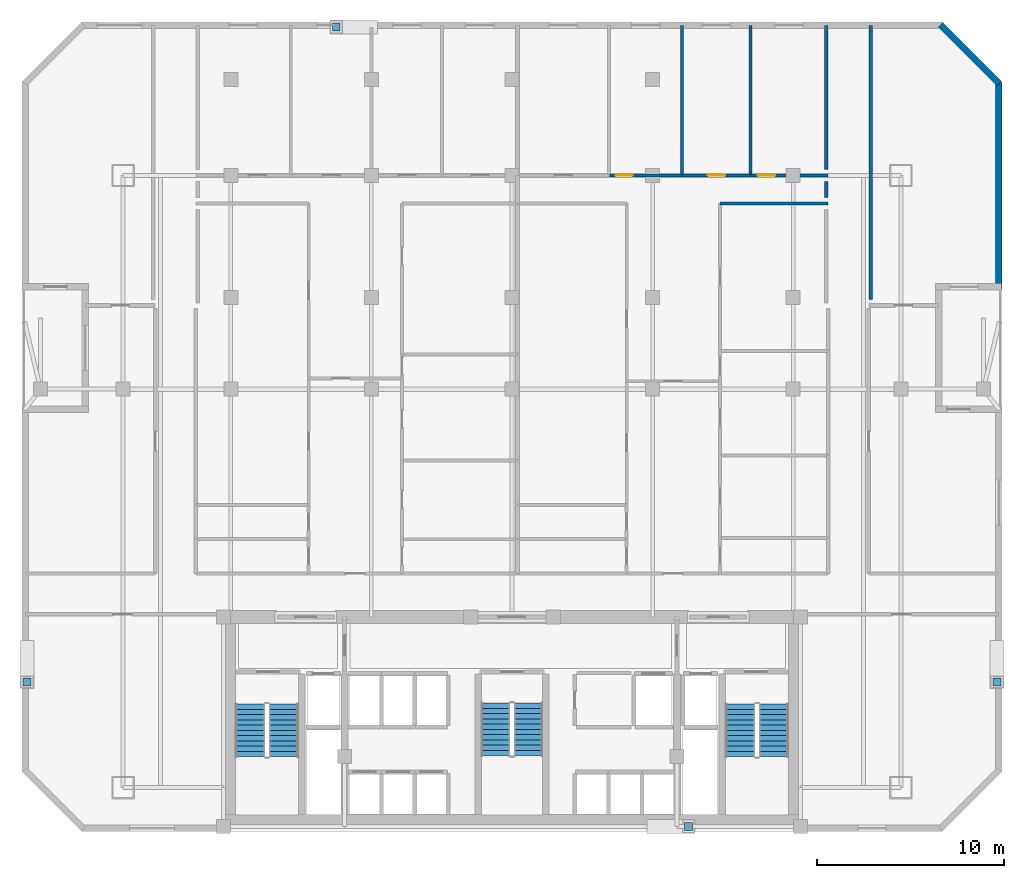
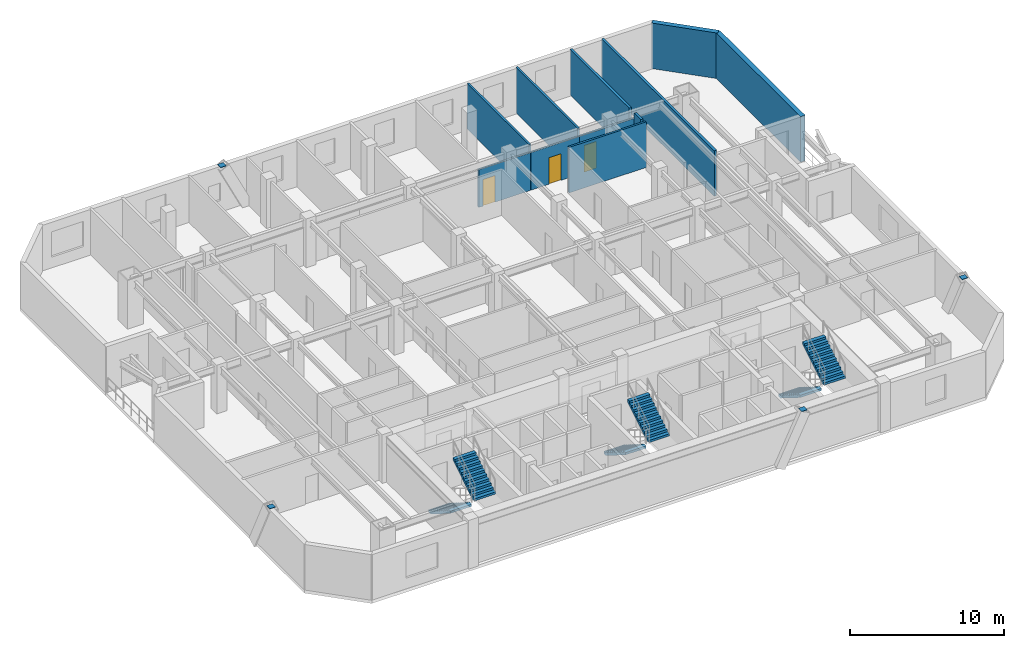
# One storey, part 7 of 9: 11 walls, 6 stair flights, 4 discrete accessories, 3 doors, 3 openings, 3 elements without a shape of their own.
"""IFC4 building model written with IfcOpenShell, lengths in metres."""

from ifc_helpers import new_model, si_unit, direction, frame, frame_2d, origin, origin_2d, place, context, subcontext, project, spatial, polyline, rectangle, outline, extrude, material, layer, layer_set, type_object, element, fill, aggregate, save


model = new_model("IFC4")

# Units and contexts
model_context = context("Model", 3, precision=1e-05, world=origin(), true_north=direction((0.0, 1.0)))
body_context = subcontext(model_context, "Body", "Model", "MODEL_VIEW")
ifc_project = project(units=[si_unit("LENGTHUNIT", "METRE"), si_unit("AREAUNIT", "SQUARE_METRE"), si_unit("VOLUMEUNIT", "CUBIC_METRE"), si_unit("PLANEANGLEUNIT", "RADIAN"), si_unit("MASSUNIT", "GRAM", prefix="KILO")], contexts=[model_context])

# Site, building, storey
site_placement = place(None, origin())
site = spatial("IfcSite", under=ifc_project, at=site_placement, CompositionType="ELEMENT")
building_placement = place(site_placement, origin())
building = spatial("IfcBuilding", under=site, at=building_placement, Name="Ventersveld Concourse Tower", CompositionType="ELEMENT")
storey_placement = place(building_placement, frame((0.0, 0.0, 108.0)))
storey = spatial("IfcBuildingStorey", under=building, at=storey_placement, Name="L26", CompositionType="ELEMENT", Elevation=108.0)

# Walls
ifc_material_1 = material(Name="Fire-rated autoclaved aerated masonry blockwork", Category="masonry")
ifc_layer_1 = layer(ifc_material_1, 0.179931640625)
ifc_layer_set_1 = layer_set([ifc_layer_1], Name="Fire-rated autoclaved aerated masonry blockwork")
wall_type_1 = type_object("IfcWallType", Name="WL-CORR-180", PredefinedType="PARTITIONING", material=ifc_layer_set_1)
wall_1_placement = place(storey_placement, frame((47.8798828125, 28.39501953125, 0.0), z_axis=(0.0, 0.0, 1.0), x_axis=(0.0, 1.0, 0.0)))
element("IfcWall", 1, at=wall_1_placement, inside=storey, type_object=wall_type_1, Name="L26 Room Enclosure Wall SP-L26-NELNG2", PredefinedType="PARTITIONING", context=body_context, shape_type="SweptSolid", body=[
    extrude(rectangle(XDim=14.594970703125, YDim=0.179931640625, at=frame_2d((7.29736328125, 0.0))), origin(), (0.0, 0.0, 1.0), 3.60009765625),
])
wall_2_placement = place(storey_placement, frame((45.52001953125, 34.675048828125, 0.0), z_axis=(0.0, 0.0, 1.0), x_axis=(0.0, -1.0, 0.0)))
element("IfcWall", 2, at=wall_2_placement, inside=storey, type_object=wall_type_1, Name="L26 Room Enclosure Wall SP-L26-26N2-LIV", PredefinedType="PARTITIONING", context=body_context, shape_type="SweptSolid", body=[
    extrude(rectangle(XDim=0.85009765625, YDim=0.179931640625, at=frame_2d((0.425048828125, 0.0))), origin(), (0.0, 0.0, 1.0), 3.60009765625),
])
wall_3_placement = place(storey_placement, frame((45.52001953125, 42.989990234375, 0.0), z_axis=(0.0, 0.0, 1.0), x_axis=(0.0, -1.0, 0.0)))
element("IfcWall", 3, at=wall_3_placement, inside=storey, type_object=wall_type_1, Name="L26 Room Enclosure Wall SP-L26-26N2-BR4", PredefinedType="PARTITIONING", context=body_context, shape_type="SweptSolid", body=[
    extrude(rectangle(XDim=7.6650390625, YDim=0.179931640625, at=frame_2d((3.83251953125, 0.0))), origin(), (0.0, 0.0, 1.0), 3.60009765625),
])
ifc_material_2 = material(Name="Autoclaved aerated masonry blockwork", Category="masonry")
ifc_layer_2 = layer(ifc_material_2, 0.14990234375)
ifc_layer_set_2 = layer_set([ifc_layer_2], Name="Autoclaved aerated masonry blockwork")
wall_type_2 = type_object("IfcWallType", Name="WL-INT-150", PredefinedType="PARTITIONING", material=ifc_layer_set_2)
wall_4_placement = place(storey_placement, frame((39.842529296875, 33.5, 0.0), z_axis=(0.0, 0.0, 1.0), x_axis=(1.0, 0.0, 0.0)))
element("IfcWall", 4, at=wall_4_placement, inside=storey, type_object=wall_type_2, Name="L26 Interior Partition SP-L26-26N2-LIV-SP-L26-26N2-DENS2", PredefinedType="PARTITIONING", context=body_context, shape_type="SweptSolid", body=[
    extrude(rectangle(XDim=5.7724609375, YDim=0.14990234375, at=frame_2d((2.88623046875, 0.0))), origin(), (0.0, 0.0, 1.0), 3.60009765625),
])

# Wall, opening, door
wall_5_placement = place(storey_placement, frame((33.958251953125, 35.0, 0.0), z_axis=(0.0, 0.0, 1.0), x_axis=(1.0, 0.0, 0.0)))
wall_5 = element("IfcWall", 5, at=wall_5_placement, inside=storey, type_object=wall_type_2, Name="L26 Interior Partition SP-L26-26N2-LIV-SP-L26-26N2-BR2", PredefinedType="PARTITIONING", context=body_context, shape_type="SweptSolid", body=[
    extrude(rectangle(XDim=3.86572265625, YDim=0.14990234375, at=frame_2d((1.932861328125, 0.0))), origin(), (0.0, 0.0, 1.0), 2.98291015625),
])
opening_1_placement = place(wall_5_placement, frame((0.31298828125, 0.0, 0.0)))
opening_1 = element("IfcOpeningElement", 6, at=opening_1_placement, cuts=wall_5, Name="Opening ID1", PredefinedType="OPENING", context=body_context, shape_type="SweptSolid", body=[
    extrude(rectangle(XDim=0.919921875, YDim=2.10009765625, at=frame_2d((0.4599609375, 1.050048828125))), frame((0.0, 0.0849609375, 0.0), z_axis=(0.0, -1.0, 0.0), x_axis=(1.0, 0.0, 0.0)), (0.0, 0.0, 1.0), 0.169921875),
])
ifc_material_3 = material(Name="Solid-core hardwood veneer timber", Category="wood")
door_type = type_object("IfcDoorType", Name="DR-ROOM-092", OperationType="NOTDEFINED", PredefinedType="DOOR", material=ifc_material_3)
door_1_placement = place(opening_1_placement, origin())
door_1 = element("IfcDoor", 7, at=door_1_placement, inside=storey, type_object=door_type, Name="L26 Interior Door SP-L26-26N2-LIV to SP-L26-26N2-BR2 (D-L26-1308)", OperationType="SINGLE_SWING_RIGHT", OverallHeight=2.10009765625, OverallWidth=0.919921875, PredefinedType="DOOR", context=body_context, shape_type="SweptSolid", body=[
    extrude(rectangle(XDim=0.919921875, YDim=2.10009765625, at=frame_2d((0.4599609375, 1.050048828125))), frame((0.0, 0.02490234375, 0.0), z_axis=(0.0, -1.0, 0.0), x_axis=(1.0, 0.0, 0.0)), (0.0, 0.0, 1.0), 0.050048828125),
])
fill(opening_1, door_1)

wall_6_placement = place(storey_placement, frame((37.85400390625, 35.0, 0.0), z_axis=(0.0, 0.0, 1.0), x_axis=(1.0, 0.0, 0.0)))
wall_6 = element("IfcWall", 8, at=wall_6_placement, inside=storey, type_object=wall_type_2, Name="L26 Interior Partition SP-L26-26N2-LIV-SP-L26-26N2-BR3", PredefinedType="PARTITIONING", context=body_context, shape_type="SweptSolid", body=[
    extrude(rectangle(XDim=3.61767578125, YDim=0.14990234375, at=frame_2d((1.808837890625, 0.0))), origin(), (0.0, 0.0, 1.0), 2.98291015625),
])
opening_2_placement = place(wall_6_placement, frame((1.348876953125, 0.0, 0.0)))
opening_2 = element("IfcOpeningElement", 9, at=opening_2_placement, cuts=wall_6, Name="Opening ID1", PredefinedType="OPENING", context=body_context, shape_type="SweptSolid", body=[
    extrude(rectangle(XDim=0.919921875, YDim=2.10009765625, at=frame_2d((0.4599609375, 1.050048828125))), frame((0.0, 0.0849609375, 0.0), z_axis=(0.0, -1.0, 0.0), x_axis=(1.0, 0.0, 0.0)), (0.0, 0.0, 1.0), 0.169921875),
])
door_2_placement = place(opening_2_placement, origin())
door_2 = element("IfcDoor", 10, at=door_2_placement, inside=storey, type_object=door_type, Name="L26 Interior Door SP-L26-26N2-LIV to SP-L26-26N2-BR3 (D-L26-1309)", OperationType="SINGLE_SWING_LEFT", OverallHeight=2.10009765625, OverallWidth=0.919921875, PredefinedType="DOOR", context=body_context, shape_type="SweptSolid", body=[
    extrude(rectangle(XDim=0.919921875, YDim=2.10009765625, at=frame_2d((0.4599609375, 1.050048828125))), frame((0.0, 0.02490234375, 0.0), z_axis=(0.0, -1.0, 0.0), x_axis=(1.0, 0.0, 0.0)), (0.0, 0.0, 1.0), 0.050048828125),
])
fill(opening_2, door_2)

wall_7_placement = place(storey_placement, frame((41.501708984375, 35.0, 0.0), z_axis=(0.0, 0.0, 1.0), x_axis=(1.0, 0.0, 0.0)))
wall_7 = element("IfcWall", 11, at=wall_7_placement, inside=storey, type_object=wall_type_2, Name="L26 Interior Partition SP-L26-26N2-LIV-SP-L26-26N2-BR4", PredefinedType="PARTITIONING", context=body_context, shape_type="SweptSolid", body=[
    extrude(rectangle(XDim=4.11328125, YDim=0.14990234375, at=frame_2d((2.056640625, 0.0))), origin(), (0.0, 0.0, 1.0), 2.98291015625),
])
opening_3_placement = place(wall_7_placement, frame((0.362548828125, 0.0, 0.0)))
opening_3 = element("IfcOpeningElement", 12, at=opening_3_placement, cuts=wall_7, Name="Opening ID1", PredefinedType="OPENING", context=body_context, shape_type="SweptSolid", body=[
    extrude(rectangle(XDim=0.919921875, YDim=2.10009765625, at=frame_2d((0.4599609375, 1.050048828125))), frame((0.0, 0.0849609375, 0.0), z_axis=(0.0, -1.0, 0.0), x_axis=(1.0, 0.0, 0.0)), (0.0, 0.0, 1.0), 0.169921875),
])
door_3_placement = place(opening_3_placement, origin())
door_3 = element("IfcDoor", 13, at=door_3_placement, inside=storey, type_object=door_type, Name="L26 Interior Door SP-L26-26N2-LIV to SP-L26-26N2-BR4 (D-L26-1310)", OperationType="SINGLE_SWING_RIGHT", OverallHeight=2.10009765625, OverallWidth=0.919921875, PredefinedType="DOOR", context=body_context, shape_type="SweptSolid", body=[
    extrude(rectangle(XDim=0.919921875, YDim=2.10009765625, at=frame_2d((0.4599609375, 1.050048828125))), frame((0.0, 0.02490234375, 0.0), z_axis=(0.0, -1.0, 0.0), x_axis=(1.0, 0.0, 0.0)), (0.0, 0.0, 1.0), 0.050048828125),
])
fill(opening_3, door_3)

# Walls
for number, where, z_axis, x_axis, name in (
    (14, (37.81884765625, 34.9951171875, 0.0), (0.0, 0.0, 1.0), (0.0, 1.0, 0.0), "L26 Interior Partition SP-L26-26N2-BR2-SP-L26-26N2-BR3"),
    (15, (41.466796875, 34.9951171875, 0.0), (0.0, 0.0, 1.0), (0.0, 1.0, 0.0), "L26 Interior Partition SP-L26-26N2-BR3-SP-L26-26N2-BR4"),
):
    element("IfcWall", number, at=place(storey_placement, frame(where, z_axis=z_axis, x_axis=x_axis)), inside=storey, type_object=wall_type_2, Name=name, PredefinedType="PARTITIONING", context=body_context, shape_type="SweptSolid", body=[
        extrude(rectangle(XDim=7.994873046875, YDim=0.14990234375, at=frame_2d((3.99755859375, 0.0))), origin(), (0.0, 0.0, 1.0), 3.60009765625),
    ])
ifc_material_4 = material(Name="Precast concrete C45/55", Category="concrete")
ifc_layer_3 = layer(ifc_material_4, 0.35009765625)
ifc_layer_set_3 = layer_set([ifc_layer_3], Name="Precast concrete C45/55")
wall_type_3 = type_object("IfcWallType", Name="WL-PREC-350", PredefinedType="SOLIDWALL", material=ifc_layer_set_3)
wall_8_placement = place(storey_placement, frame((54.72509765625, 28.93994140625, 0.0), z_axis=(0.0, 0.0, 1.0), x_axis=(0.0, 1.0, 0.0)))
element("IfcWall", 16, at=wall_8_placement, inside=storey, type_object=wall_type_3, Name="L26 Highveld Precast Facade Wall E07", PredefinedType="SOLIDWALL", context=body_context, shape_type="SweptSolid", body=[
    extrude(rectangle(XDim=11.02001953125, YDim=0.35009765625, at=frame_2d((5.510009765625, 0.0))), origin(), (0.0, 0.0, 1.0), 3.60009765625),
])
wall_9_placement = place(storey_placement, frame((54.748046875, 39.904541015625, 0.0), z_axis=(0.0, 0.0, 1.0), x_axis=(-0.707106781187, 0.707106781187, 0.0)))
element("IfcWall", 17, at=wall_9_placement, inside=storey, type_object=wall_type_3, Name="L26 Highveld Precast Facade Wall E08", PredefinedType="SOLIDWALL", context=body_context, shape_type="SweptSolid", body=[
    extrude(rectangle(XDim=4.445556640625, YDim=0.35009765625, at=frame_2d((2.22265625, 0.0))), origin(), (0.0, 0.0, 1.0), 3.60009765625),
])

# Stair, stair flights
ifc_material_5 = material(Name="Concrete C50/60", Category="concrete")
stair_type_1 = type_object("IfcStairType", Name="ST-DOG-155", PredefinedType="HALF_TURN_STAIR", material=ifc_material_5)
stair_1_placement = place(storey_placement, origin())
stair_1 = element("IfcStair", 18, at=stair_1_placement, inside=storey, type_object=stair_type_1, Name="L26 Protected Central Core Escape Stair ST-03", PredefinedType="HALF_TURN_STAIR")
stair_flight_type_1 = type_object("IfcStairFlightType", Name="STF-RC-155", PredefinedType="STRAIGHT", material=ifc_material_5)
stair_flight_1_placement = place(storey_placement, frame((27.875, 6.85009765625, 0.0), z_axis=(0.0, 0.0, 1.0), x_axis=(0.0, -1.0, 0.0)))
stair_flight_1 = element("IfcStairFlight", 19, at=stair_flight_1_placement, type_object=stair_flight_type_1, Name="ST-03 flight 1", NumberOfRisers=11, NumberOfTreads=10, PredefinedType="STRAIGHT", RiserHeight=0.175, TreadLength=0.28, context=body_context, shape_type="SweptSolid", body=[
    extrude(outline(polyline([(0.0, 0.0), (0.0, 0.175048828125), (0.280029296875, 0.175048828125), (0.280029296875, 0.35009765625), (0.56005859375, 0.35009765625), (0.56005859375, 0.52490234375), (0.840087890625, 0.52490234375), (0.840087890625, 0.699951171875), (1.1201171875, 0.699951171875), (1.1201171875, 0.875), (1.39990234375, 0.875), (1.39990234375, 1.050048828125), (1.679931640625, 1.050048828125), (1.679931640625, 1.22509765625), (1.9599609375, 1.22509765625), (1.9599609375, 1.39990234375), (2.239990234375, 1.39990234375), (2.239990234375, 1.574951171875), (2.52001953125, 1.574951171875), (2.52001953125, 1.75), (2.800048828125, 1.75), (2.800048828125, 1.925048828125), (2.800048828125, 1.5732421875), (0.28271484375, 0.0), (0.0, 0.0)])), frame((0.0, 0.77490234375, 0.0), z_axis=(0.0, -1.0, 0.0), x_axis=(1.0, 0.0, 0.0)), (0.0, 0.0, 1.0), 1.550048828125),
])
stair_flight_2_placement = place(storey_placement, frame((29.625, 4.050048828125, 1.925048828125), z_axis=(0.0, 0.0, 1.0), x_axis=(0.0, 1.0, 0.0)))
stair_flight_2 = element("IfcStairFlight", 20, at=stair_flight_2_placement, type_object=stair_flight_type_1, Name="ST-03 flight 2", NumberOfRisers=11, NumberOfTreads=10, PredefinedType="STRAIGHT", RiserHeight=0.175, TreadLength=0.28, context=body_context, shape_type="SweptSolid", body=[
    extrude(outline(polyline([(0.0, 0.0), (0.0, 0.175048828125), (0.280029296875, 0.175048828125), (0.280029296875, 0.35009765625), (0.56005859375, 0.35009765625), (0.56005859375, 0.52490234375), (0.840087890625, 0.52490234375), (0.840087890625, 0.699951171875), (1.1201171875, 0.699951171875), (1.1201171875, 0.875), (1.39990234375, 0.875), (1.39990234375, 1.050048828125), (1.679931640625, 1.050048828125), (1.679931640625, 1.22509765625), (1.9599609375, 1.22509765625), (1.9599609375, 1.39990234375), (2.239990234375, 1.39990234375), (2.239990234375, 1.574951171875), (2.52001953125, 1.574951171875), (2.52001953125, 1.75), (2.800048828125, 1.75), (2.800048828125, 1.925048828125), (2.800048828125, 1.5732421875), (0.28271484375, 0.0), (0.0, 0.0)])), frame((0.0, 0.77490234375, 0.0), z_axis=(0.0, -1.0, 0.0), x_axis=(1.0, 0.0, 0.0)), (0.0, 0.0, 1.0), 1.550048828125),
])
aggregate(stair_1, [stair_flight_1, stair_flight_2])

stair_type_2 = type_object("IfcStairType", Name="ST-DOG-160", PredefinedType="HALF_TURN_STAIR", material=ifc_material_5)
stair_2_placement = place(storey_placement, origin())
stair_2 = element("IfcStair", 21, at=stair_2_placement, inside=storey, type_object=stair_type_2, Name="L26 Protected Tower Escape Stair ST-01", PredefinedType="HALF_TURN_STAIR")
stair_flight_type_2 = type_object("IfcStairFlightType", Name="STF-RC-160", PredefinedType="STRAIGHT", material=ifc_material_5)
stair_flight_3_placement = place(storey_placement, frame((14.780029296875, 6.800048828125, 0.0), z_axis=(0.0, 0.0, 1.0), x_axis=(0.0, -1.0, 0.0)))
stair_flight_3 = element("IfcStairFlight", 22, at=stair_flight_3_placement, type_object=stair_flight_type_2, Name="ST-01 flight 1", NumberOfRisers=11, NumberOfTreads=10, PredefinedType="STRAIGHT", RiserHeight=0.175, TreadLength=0.28, context=body_context, shape_type="SweptSolid", body=[
    extrude(outline(polyline([(0.0, 0.0), (0.0, 0.175048828125), (0.280029296875, 0.175048828125), (0.280029296875, 0.35009765625), (0.56005859375, 0.35009765625), (0.56005859375, 0.52490234375), (0.840087890625, 0.52490234375), (0.840087890625, 0.699951171875), (1.1201171875, 0.699951171875), (1.1201171875, 0.875), (1.39990234375, 0.875), (1.39990234375, 1.050048828125), (1.679931640625, 1.050048828125), (1.679931640625, 1.22509765625), (1.9599609375, 1.22509765625), (1.9599609375, 1.39990234375), (2.239990234375, 1.39990234375), (2.239990234375, 1.574951171875), (2.52001953125, 1.574951171875), (2.52001953125, 1.75), (2.800048828125, 1.75), (2.800048828125, 1.925048828125), (2.800048828125, 1.5732421875), (0.28271484375, 0.0), (0.0, 0.0)])), frame((0.0, 0.800048828125, 0.0), z_axis=(0.0, -1.0, 0.0), x_axis=(1.0, 0.0, 0.0)), (0.0, 0.0, 1.0), 1.60009765625),
])
stair_flight_4_placement = place(storey_placement, frame((16.580078125, 4.0, 1.925048828125), z_axis=(0.0, 0.0, 1.0), x_axis=(0.0, 1.0, 0.0)))
stair_flight_4 = element("IfcStairFlight", 23, at=stair_flight_4_placement, type_object=stair_flight_type_2, Name="ST-01 flight 2", NumberOfRisers=11, NumberOfTreads=10, PredefinedType="STRAIGHT", RiserHeight=0.175, TreadLength=0.28, context=body_context, shape_type="SweptSolid", body=[
    extrude(outline(polyline([(0.0, 0.0), (0.0, 0.175048828125), (0.280029296875, 0.175048828125), (0.280029296875, 0.35009765625), (0.56005859375, 0.35009765625), (0.56005859375, 0.52490234375), (0.840087890625, 0.52490234375), (0.840087890625, 0.699951171875), (1.1201171875, 0.699951171875), (1.1201171875, 0.875), (1.39990234375, 0.875), (1.39990234375, 1.050048828125), (1.679931640625, 1.050048828125), (1.679931640625, 1.22509765625), (1.9599609375, 1.22509765625), (1.9599609375, 1.39990234375), (2.239990234375, 1.39990234375), (2.239990234375, 1.574951171875), (2.52001953125, 1.574951171875), (2.52001953125, 1.75), (2.800048828125, 1.75), (2.800048828125, 1.925048828125), (2.800048828125, 1.5732421875), (0.28271484375, 0.0), (0.0, 0.0)])), frame((0.0, 0.800048828125, 0.0), z_axis=(0.0, -1.0, 0.0), x_axis=(1.0, 0.0, 0.0)), (0.0, 0.0, 1.0), 1.60009765625),
])
aggregate(stair_2, [stair_flight_3, stair_flight_4])

stair_3_placement = place(storey_placement, origin())
stair_3 = element("IfcStair", 24, at=stair_3_placement, inside=storey, type_object=stair_type_2, Name="L26 Protected Tower Escape Stair ST-02", PredefinedType="HALF_TURN_STAIR")
stair_flight_5_placement = place(storey_placement, frame((40.919921875, 6.800048828125, 0.0), z_axis=(0.0, 0.0, 1.0), x_axis=(0.0, -1.0, 0.0)))
stair_flight_5 = element("IfcStairFlight", 25, at=stair_flight_5_placement, type_object=stair_flight_type_2, Name="ST-02 flight 1", NumberOfRisers=11, NumberOfTreads=10, PredefinedType="STRAIGHT", RiserHeight=0.175, TreadLength=0.28, context=body_context, shape_type="SweptSolid", body=[
    extrude(outline(polyline([(0.0, 0.0), (0.0, 0.175048828125), (0.280029296875, 0.175048828125), (0.280029296875, 0.35009765625), (0.56005859375, 0.35009765625), (0.56005859375, 0.52490234375), (0.840087890625, 0.52490234375), (0.840087890625, 0.699951171875), (1.1201171875, 0.699951171875), (1.1201171875, 0.875), (1.39990234375, 0.875), (1.39990234375, 1.050048828125), (1.679931640625, 1.050048828125), (1.679931640625, 1.22509765625), (1.9599609375, 1.22509765625), (1.9599609375, 1.39990234375), (2.239990234375, 1.39990234375), (2.239990234375, 1.574951171875), (2.52001953125, 1.574951171875), (2.52001953125, 1.75), (2.800048828125, 1.75), (2.800048828125, 1.925048828125), (2.800048828125, 1.5732421875), (0.28271484375, 0.0), (0.0, 0.0)])), frame((0.0, 0.800048828125, 0.0), z_axis=(0.0, -1.0, 0.0), x_axis=(1.0, 0.0, 0.0)), (0.0, 0.0, 1.0), 1.60009765625),
])
stair_flight_6_placement = place(storey_placement, frame((42.719970703125, 4.0, 1.925048828125), z_axis=(0.0, 0.0, 1.0), x_axis=(0.0, 1.0, 0.0)))
stair_flight_6 = element("IfcStairFlight", 26, at=stair_flight_6_placement, type_object=stair_flight_type_2, Name="ST-02 flight 2", NumberOfRisers=11, NumberOfTreads=10, PredefinedType="STRAIGHT", RiserHeight=0.175, TreadLength=0.28, context=body_context, shape_type="SweptSolid", body=[
    extrude(outline(polyline([(0.0, 0.0), (0.0, 0.175048828125), (0.280029296875, 0.175048828125), (0.280029296875, 0.35009765625), (0.56005859375, 0.35009765625), (0.56005859375, 0.52490234375), (0.840087890625, 0.52490234375), (0.840087890625, 0.699951171875), (1.1201171875, 0.699951171875), (1.1201171875, 0.875), (1.39990234375, 0.875), (1.39990234375, 1.050048828125), (1.679931640625, 1.050048828125), (1.679931640625, 1.22509765625), (1.9599609375, 1.22509765625), (1.9599609375, 1.39990234375), (2.239990234375, 1.39990234375), (2.239990234375, 1.574951171875), (2.52001953125, 1.574951171875), (2.52001953125, 1.75), (2.800048828125, 1.75), (2.800048828125, 1.925048828125), (2.800048828125, 1.5732421875), (0.28271484375, 0.0), (0.0, 0.0)])), frame((0.0, 0.800048828125, 0.0), z_axis=(0.0, -1.0, 0.0), x_axis=(1.0, 0.0, 0.0)), (0.0, 0.0, 1.0), 1.60009765625),
])
aggregate(stair_3, [stair_flight_5, stair_flight_6])

# Discrete accessories
ifc_material_6 = material(Name="Structural steel S355J2", Category="steel")
discrete_accessory_type = type_object("IfcDiscreteAccessoryType", Name="CONN-BRACE-ECP1", PredefinedType="BRACKET", material=ifc_material_6)
for number, where, z_axis, x_axis, name in (
    (27, (19.375, 42.919921875, 3.580078125), (0.0, 0.0, 1.0), (1.0, 0.0, 0.0), "L26 Steel Brace End Connection Plate ECP1-0284"),
    (28, (38.175048828125, 0.280029296875, 3.580078125), (0.0, 0.0, 1.0), (1.0, 0.0, 0.0), "L26 Steel Brace End Connection Plate ECP1-0288"),
    (29, (2.8798828125, 7.97509765625, 3.580078125), (0.0, 0.0, 1.0), (1.0, 0.0, 0.0), "L26 Steel Brace End Connection Plate ECP1-0292"),
    (30, (54.6201171875, 7.97509765625, 3.580078125), (0.0, 0.0, 1.0), (1.0, 0.0, 0.0), "L26 Steel Brace End Connection Plate ECP1-0296"),
):
    element("IfcDiscreteAccessory", number, at=place(storey_placement, frame(where, z_axis=z_axis, x_axis=x_axis)), inside=storey, type_object=discrete_accessory_type, Name=name, PredefinedType="BRACKET", context=body_context, shape_type="SweptSolid", body=[
        extrude(rectangle(XDim=0.419921875, YDim=0.419921875, at=origin_2d()), origin(), (0.0, 0.0, 1.0), 0.0400390625),
    ])

save(model, "model.ifc")
